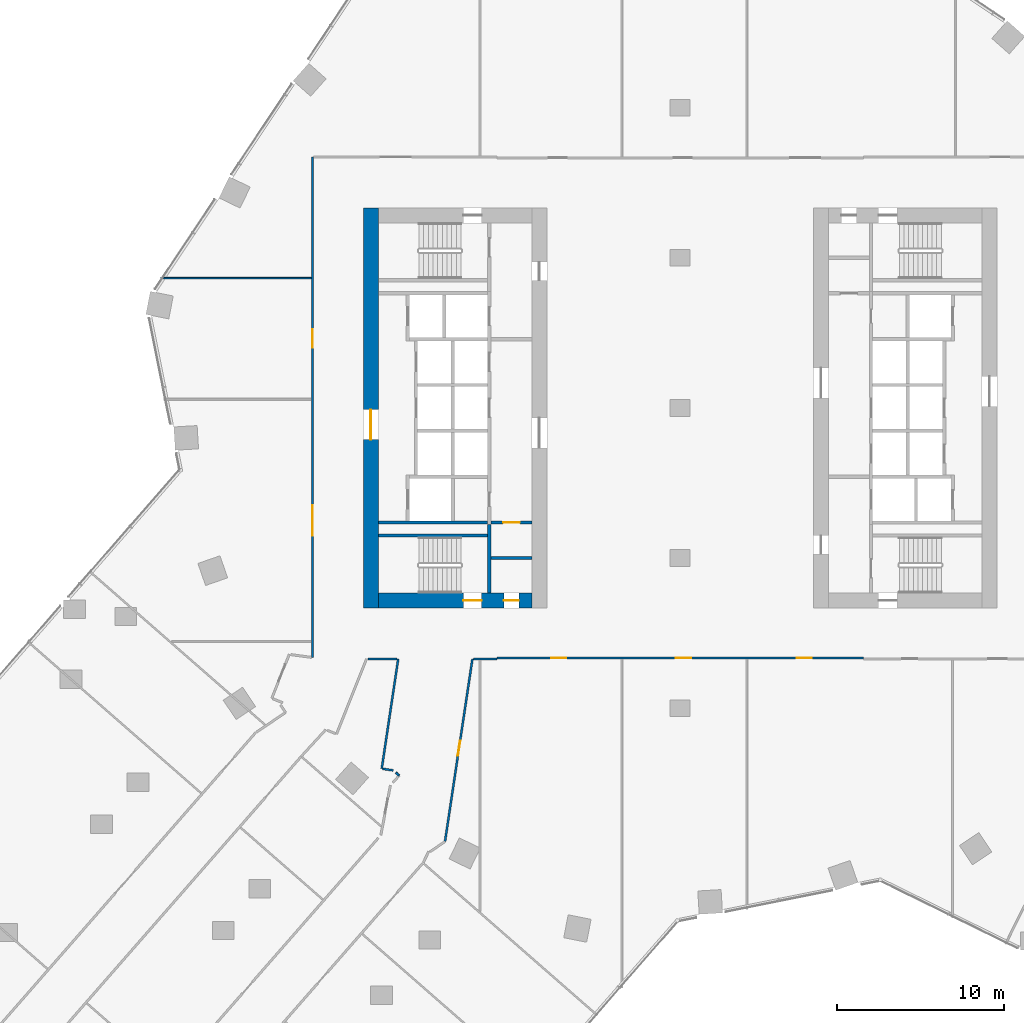
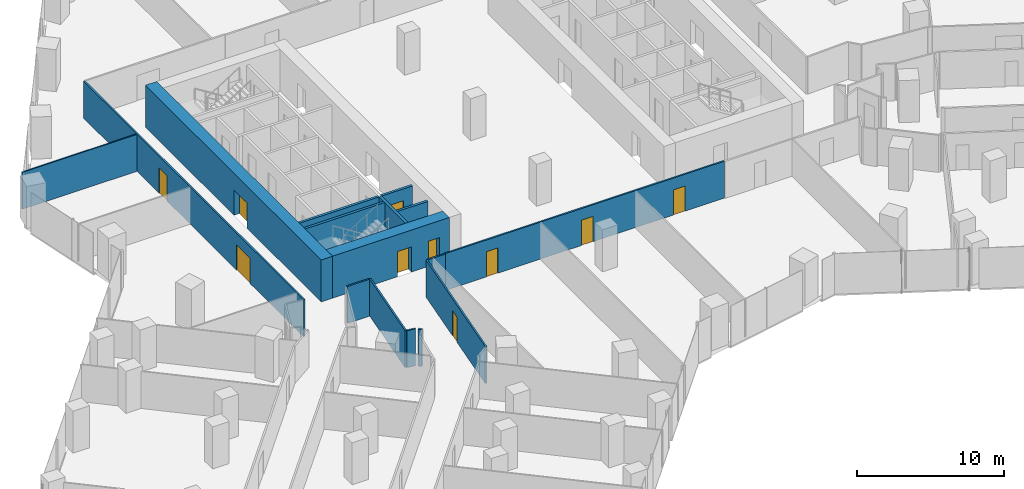
# One storey, part 27 of 38: 16 walls, 10 doors, 10 openings.
"""IFC4 building model written with IfcOpenShell, lengths in metres."""

import ifcopenshell
import ifcopenshell.guid

model = None  # the IFC model being written
_history = None  # IfcOwnerHistory: only IFC2X3 demands one
_inside = {}  # id of a spatial element -> (the spatial element, [elements in it])
_under = {}  # id of a project, library or spatial element -> (it, [spatial elements below it])
_declared = {}  # id of a project -> (the project, [libraries it declares])
_typed = {}  # id of a type object -> (the type object, [elements of that type])
_made_of = {}  # id of a material, layer set ... -> (it, [elements and type objects made of it])


def new_model(schema):
    """Start an empty IFC model of exactly this schema.

    Asked for "IFC4X3", IfcOpenShell would pick the latest addendum, in which some entities
    have other attributes; the version numbers below select the first issue.
    IFC2X3 requires an IfcOwnerHistory on every rooted entity: one is made here for all.
    """
    global model, _history
    if schema == "IFC4X3":
        model = ifcopenshell.file(schema_version=(4, 3, 0, 0))
    else:
        model = ifcopenshell.file(schema=schema)
    _inside.clear()
    _under.clear()
    _declared.clear()
    _typed.clear()
    _made_of.clear()
    _history = None
    if model.schema == "IFC2X3":
        org = make("IfcOrganization", Name="unknown")
        user = make(
            "IfcPersonAndOrganization",
            ThePerson=make("IfcPerson", FamilyName="unknown"),
            TheOrganization=org,
        )
        app = make(
            "IfcApplication",
            ApplicationDeveloper=org,
            Version="unknown",
            ApplicationFullName="unknown",
            ApplicationIdentifier="unknown",
        )
        _history = make(
            "IfcOwnerHistory",
            OwningUser=user,
            OwningApplication=app,
            ChangeAction="ADDED",
            CreationDate=0,
        )
    return model


def make(cls, **values):
    """One entity of the class cls with the attributes given. An attribute that is None is left unset."""
    return model.create_entity(
        cls, **{name: value for name, value in values.items() if value is not None}
    )


def rooted(cls, **values):
    """An entity with a GlobalId (a new one), such as an element, a storey or a relation."""
    return make(cls, GlobalId=ifcopenshell.guid.new(), OwnerHistory=_history, **values)


def si_unit(unit_type, name, prefix=None):
    """IfcSIUnit, for example si_unit("LENGTHUNIT", "METRE", prefix="MILLI")."""
    return make("IfcSIUnit", UnitType=unit_type, Prefix=prefix, Name=name)


def assignment(units):
    """IfcUnitAssignment: the units of a project."""
    return None if units is None else make("IfcUnitAssignment", Units=units)


def point(xyz):
    """IfcCartesianPoint."""
    return None if xyz is None else make("IfcCartesianPoint", Coordinates=xyz)


def direction(xyz):
    """IfcDirection."""
    return None if xyz is None else make("IfcDirection", DirectionRatios=xyz)


def frame(location, z_axis=None, x_axis=None):
    """IfcAxis2Placement3D, a coordinate frame: its origin and axes. An axis left out is left unset."""
    return make(
        "IfcAxis2Placement3D",
        Location=point(location),
        Axis=direction(z_axis),
        RefDirection=direction(x_axis),
    )


def frame_2d(location, x_axis=None):
    """IfcAxis2Placement2D, a coordinate frame in the plane: its origin and x axis."""
    return make(
        "IfcAxis2Placement2D", Location=point(location), RefDirection=direction(x_axis)
    )


def origin():
    """The frame at (0, 0, 0) with its axes left unset."""
    return frame((0.0, 0.0, 0.0))


def place(relative_to, where):
    """IfcLocalPlacement: puts the frame where relative to a parent placement (None: the world)."""
    return make(
        "IfcLocalPlacement", PlacementRelTo=relative_to, RelativePlacement=where
    )


def context(
    kind, dimensions, precision=None, world=None, true_north=None, identifier=None
):
    """IfcGeometricRepresentationContext, for example the 3D "Model" context."""
    return make(
        "IfcGeometricRepresentationContext",
        ContextIdentifier=identifier,
        ContextType=kind,
        CoordinateSpaceDimension=dimensions,
        Precision=precision,
        WorldCoordinateSystem=world,
        TrueNorth=true_north,
    )


def subcontext(parent, identifier, kind, view, scale=None):
    """IfcGeometricRepresentationSubContext, for example "Body" below "Model"."""
    return make(
        "IfcGeometricRepresentationSubContext",
        ContextIdentifier=identifier,
        ContextType=kind,
        ParentContext=parent,
        TargetScale=scale,
        TargetView=view,
    )


def project(units=None, contexts=None):
    """IfcProject with its units and contexts."""
    return rooted(
        "IfcProject",
        Name="project",
        RepresentationContexts=contexts,
        UnitsInContext=assignment(units),
    )


def spatial(cls, under=None, at=None, **own):
    """A site, building, storey or space (cls), placed at a placement, below another one or the project."""
    s = rooted(cls, ObjectPlacement=at, **own)
    if under is not None:
        _under.setdefault(under.id(), (under, []))[1].append(s)
    return s


def profile(cls, at=None, kind="AREA", **sizes):
    """A parametric profile (cls). Its sizes go by their IFC names, for example OverallWidth=200.0."""
    return make(cls, ProfileType=kind, Position=at, **sizes)


def rectangle(**sizes):
    """IfcRectangleProfileDef."""
    return profile("IfcRectangleProfileDef", **sizes)


def extrude(swept, where, along, depth):
    """IfcExtrudedAreaSolid: the profile swept, set in the frame where, extruded along a direction by depth."""
    return make(
        "IfcExtrudedAreaSolid",
        SweptArea=swept,
        Position=where,
        ExtrudedDirection=direction(along),
        Depth=depth,
    )


def shape(context_of_items, identifier, shape_type, items):
    """IfcShapeRepresentation: the items that make up one representation, for example the "Body"."""
    return make(
        "IfcShapeRepresentation",
        ContextOfItems=context_of_items,
        RepresentationIdentifier=identifier,
        RepresentationType=shape_type,
        Items=items,
    )


def material(Name=None, Category=None):
    """IfcMaterial."""
    return make("IfcMaterial", Name=Name, Category=Category)


def layer(
    of_material, thickness, ventilated=None, Name=None, Category=None, Priority=None
):
    """IfcMaterialLayer: one layer of a wall or slab, of a material (None: an air gap)."""
    return make(
        "IfcMaterialLayer",
        Material=of_material,
        LayerThickness=thickness,
        IsVentilated=ventilated,
        Name=Name,
        Category=Category,
        Priority=Priority,
    )


def layer_set(layers, Name=None):
    """IfcMaterialLayerSet."""
    return make("IfcMaterialLayerSet", MaterialLayers=layers, LayerSetName=Name)


def made_of(thing, what):
    """Note that an element or type object is made of a material, layer set ...; save() writes the relation."""
    if what is not None:
        _made_of.setdefault(what.id(), (what, []))[1].append(thing)
    return thing


def type_object(cls, material=None, **own):
    """A type object (cls), such as IfcWallType, which elements share."""
    return made_of(rooted(cls, **own), material)


def element(
    cls,
    number,
    at=None,
    inside=None,
    cuts=None,
    type_object=None,
    material=None,
    context=None,
    identifier="Body",
    shape_type=None,
    held_by="IfcProductDefinitionShape",
    body=None,
    shapes=None,
    **own,
):
    """One element of the class cls, such as IfcWall. Its Tag is "e" and its number.

    at: its placement. inside: the storey or other place that contains it. cuts: it is an
    opening in that element (IfcRelVoidsElement). A single representation is given by context,
    identifier, shape_type and body (its items); several are given by shapes. held_by: the class
    of the entity that holds the representations. save() writes the other relations.
    """
    e = rooted(cls, Tag="e%d" % number, ObjectPlacement=at, **own)
    if body is not None:
        shapes = [shape(context, identifier, shape_type, body)]
    if shapes is not None:
        e.Representation = make(held_by, Representations=shapes)
    if inside is not None:
        _inside.setdefault(inside.id(), (inside, []))[1].append(e)
    if cuts is not None:
        rooted(
            "IfcRelVoidsElement", RelatingBuildingElement=cuts, RelatedOpeningElement=e
        )
    if type_object is not None:
        _typed.setdefault(type_object.id(), (type_object, []))[1].append(e)
    return made_of(e, material)


def fill(opening, filler):
    """IfcRelFillsElement: the door or window that sits in an opening."""
    return rooted(
        "IfcRelFillsElement",
        RelatingOpeningElement=opening,
        RelatedBuildingElement=filler,
    )


def aggregate(whole, parts):
    """IfcRelAggregates: a whole, such as a stair, and the parts it consists of."""
    return rooted("IfcRelAggregates", RelatingObject=whole, RelatedObjects=parts)


def save(model, path):
    """Write the relations noted so far, then the file.

    IfcRelAggregates (storeys below a building ...), IfcRelContainedInSpatialStructure (elements
    in a storey), IfcRelDefinesByType, IfcRelAssociatesMaterial and IfcRelDeclares: one each for
    every whole, place, type object, material and project.
    """
    for whole, parts in _under.values():
        aggregate(whole, parts)
    for where, things in _inside.values():
        rooted(
            "IfcRelContainedInSpatialStructure",
            RelatedElements=things,
            RelatingStructure=where,
        )
    for kind, things in _typed.values():
        rooted("IfcRelDefinesByType", RelatedObjects=things, RelatingType=kind)
    for what, things in _made_of.values():
        rooted("IfcRelAssociatesMaterial", RelatedObjects=things, RelatingMaterial=what)
    for by, libraries in _declared.values():
        rooted("IfcRelDeclares", RelatingContext=by, RelatedDefinitions=libraries)
    model.write(path)


model = new_model("IFC4")

# Units and contexts
model_context = context("Model", 3, precision=1e-05, world=origin(), true_north=direction((0.0, 1.0)))
body_context = subcontext(model_context, "Body", "Model", "MODEL_VIEW")
ifc_project = project(units=[si_unit("LENGTHUNIT", "METRE"), si_unit("AREAUNIT", "SQUARE_METRE"), si_unit("VOLUMEUNIT", "CUBIC_METRE"), si_unit("PLANEANGLEUNIT", "RADIAN"), si_unit("MASSUNIT", "GRAM", prefix="KILO")], contexts=[model_context])

# Site, building, storey
site_placement = place(None, origin())
site = spatial("IfcSite", under=ifc_project, at=site_placement, CompositionType="ELEMENT")
building_placement = place(site_placement, origin())
building = spatial("IfcBuilding", under=site, at=building_placement, Name="Orlundy Tower", CompositionType="ELEMENT")
storey_placement = place(building_placement, frame((0.0, 0.0, 65.800048828125)))
storey = spatial("IfcBuildingStorey", under=building, at=storey_placement, Name="L15", CompositionType="ELEMENT", Elevation=65.800048828125)

# Wall, openings, doors
ifc_material_1 = material(Name="Concrete C80/95", Category="concrete")
ifc_layer_1 = layer(ifc_material_1, 0.89990234375)
ifc_layer_set_1 = layer_set([ifc_layer_1], Name="CORE WALL 900 C80/95")
wall_type_1 = type_object("IfcWallType", Name="CORE WALL 900 C80/95", PredefinedType="SHEAR", material=ifc_layer_set_1)
wall_1_placement = place(storey_placement, frame((-18.10009765625, -11.550048828125, 0.0), z_axis=(0.0, 0.0, 1.0), x_axis=(1.0, 0.0, 0.0)))
wall_1 = element("IfcWall", 1, at=wall_1_placement, inside=storey, type_object=wall_type_1, Name="Core wall W-S L15", PredefinedType="SHEAR", context=body_context, shape_type="SweptSolid", body=[
    extrude(rectangle(XDim=9.2001953125, YDim=0.89990234375, at=frame_2d((4.60009765625, 0.0))), origin(), (0.0, 0.0, 1.0), 3.5),
])
opening_1_placement = place(wall_1_placement, frame((5.10009765625, 0.0, 0.0)))
opening_1 = element("IfcOpeningElement", 2, at=opening_1_placement, cuts=wall_1, Name="Opening 13013", PredefinedType="OPENING", context=body_context, shape_type="SweptSolid", body=[
    extrude(rectangle(XDim=1.10009765625, YDim=2.10009765625, at=frame_2d((0.550048828125, 1.050048828125))), frame((0.0, 0.4599609375, 0.0), z_axis=(0.0, -1.0, 0.0), x_axis=(1.0, 0.0, 0.0)), (0.0, 0.0, 1.0), 0.919921875),
])
opening_2_placement = place(wall_1_placement, frame((7.530029296875, 0.0, 0.0)))
opening_2 = element("IfcOpeningElement", 3, at=opening_2_placement, cuts=wall_1, Name="Opening 13015", PredefinedType="OPENING", context=body_context, shape_type="SweptSolid", body=[
    extrude(rectangle(XDim=0.89990234375, YDim=2.10009765625, at=frame_2d((0.449951171875, 1.050048828125))), frame((0.0, 0.4599609375, 0.0), z_axis=(0.0, -1.0, 0.0), x_axis=(1.0, 0.0, 0.0)), (0.0, 0.0, 1.0), 0.919921875),
])
ifc_material_2 = material(Name="Timber door set", Category="wood")
door_type_1 = type_object("IfcDoorType", Name="Room Door 900x2100", OperationType="SINGLE_SWING_LEFT", PredefinedType="DOOR", material=ifc_material_2)
door_1_placement = place(opening_2_placement, origin())
door_1 = element("IfcDoor", 4, at=door_1_placement, inside=storey, type_object=door_type_1, Name="Store door 13015", OperationType="SINGLE_SWING_RIGHT", OverallHeight=2.10009765625, OverallWidth=0.89990234375, PredefinedType="DOOR", context=body_context, shape_type="SweptSolid", body=[
    extrude(rectangle(XDim=0.89990234375, YDim=2.10009765625, at=frame_2d((0.449951171875, 1.050048828125))), frame((0.0, 0.02490234375, 0.0), z_axis=(0.0, -1.0, 0.0), x_axis=(1.0, 0.0, 0.0)), (0.0, 0.0, 1.0), 0.050048828125),
])
fill(opening_2, door_1)
ifc_material_3 = material(Name="Steel door set", Category="steel")
door_type_2 = type_object("IfcDoorType", Name="Stair Door 1100x2100", OperationType="SINGLE_SWING_LEFT", PredefinedType="DOOR", material=ifc_material_3)
door_2_placement = place(opening_1_placement, origin())
door_2 = element("IfcDoor", 5, at=door_2_placement, inside=storey, type_object=door_type_2, Name="Stair door 13013", OperationType="SINGLE_SWING_RIGHT", OverallHeight=2.10009765625, OverallWidth=1.10009765625, PredefinedType="DOOR", context=body_context, shape_type="SweptSolid", body=[
    extrude(rectangle(XDim=1.10009765625, YDim=2.10009765625, at=frame_2d((0.550048828125, 1.050048828125))), frame((0.0, 0.02490234375, 0.0), z_axis=(0.0, -1.0, 0.0), x_axis=(1.0, 0.0, 0.0)), (0.0, 0.0, 1.0), 0.050048828125),
])
fill(opening_1, door_2)

# Wall, opening, door
wall_2_placement = place(storey_placement, frame((-18.550048828125, -12.0, 0.0), z_axis=(0.0, 0.0, 1.0), x_axis=(0.0, 1.0, 0.0)))
wall_2 = element("IfcWall", 6, at=wall_2_placement, inside=storey, type_object=wall_type_1, Name="Core wall W-W L15", PredefinedType="SHEAR", context=body_context, shape_type="SweptSolid", body=[
    extrude(rectangle(XDim=24.0, YDim=0.89990234375, at=frame_2d((12.0, 0.0))), origin(), (0.0, 0.0, 1.0), 3.5),
])
opening_3_placement = place(wall_2_placement, frame((10.10009765625, 0.0, 0.0)))
opening_3 = element("IfcOpeningElement", 7, at=opening_3_placement, cuts=wall_2, Name="Opening 13010", PredefinedType="OPENING", context=body_context, shape_type="SweptSolid", body=[
    extrude(rectangle(XDim=1.800048828125, YDim=2.10009765625, at=frame_2d((0.89990234375, 1.050048828125))), frame((0.0, 0.4599609375, 0.0), z_axis=(0.0, -1.0, 0.0), x_axis=(1.0, 0.0, 0.0)), (0.0, 0.0, 1.0), 0.919921875),
])
ifc_material_4 = material(Name="Timber door set", Category="wood")
door_type_3 = type_object("IfcDoorType", Name="Lobby Door 1800x2100", OperationType="DOUBLE_DOOR_DOUBLE_SWING", PredefinedType="DOOR", material=ifc_material_4)
door_3_placement = place(opening_3_placement, origin())
door_3 = element("IfcDoor", 8, at=door_3_placement, inside=storey, type_object=door_type_3, Name="Lift lobby door 13010", OperationType="SINGLE_SWING_LEFT", OverallHeight=2.10009765625, OverallWidth=1.800048828125, PredefinedType="DOOR", context=body_context, shape_type="SweptSolid", body=[
    extrude(rectangle(XDim=1.800048828125, YDim=2.10009765625, at=frame_2d((0.89990234375, 1.050048828125))), frame((0.0, 0.02490234375, 0.0), z_axis=(0.0, -1.0, 0.0), x_axis=(1.0, 0.0, 0.0)), (0.0, 0.0, 1.0), 0.050048828125),
])
fill(opening_3, door_3)

# Walls
ifc_material_5 = material(Name="Gypsum board partition")
ifc_layer_2 = layer(ifc_material_5, 0.10009765625)
ifc_layer_set_2 = layer_set([ifc_layer_2], Name="Floor partition 100")
wall_type_2 = type_object("IfcWallType", Name="Floor partition 100", PredefinedType="PARTITIONING", material=ifc_layer_set_2)
wall_3_placement = place(storey_placement, frame((-31.159912109375, 7.785888671875, 0.0), z_axis=(0.0, 0.0, 1.0), x_axis=(1.0, 0.0, 0.0)))
element("IfcWall", 9, at=wall_3_placement, inside=storey, type_object=wall_type_2, Name="wall-int-L15-048", PredefinedType="PARTITIONING", context=body_context, shape_type="SweptSolid", body=[
    extrude(rectangle(XDim=9.046875, YDim=0.10009765625, at=frame_2d((4.5234375, 0.0))), origin(), (0.0, 0.0, 1.0), 3.079833984375),
])
ifc_material_6 = material(Name="Gypsum board partition, double layer")
ifc_layer_3 = layer(ifc_material_6, 0.125)
ifc_layer_set_3 = layer_set([ifc_layer_3], Name="Floor partition 125")
wall_type_3 = type_object("IfcWallType", Name="Floor partition 125", PredefinedType="PARTITIONING", material=ifc_layer_set_3)
wall_4_placement = place(storey_placement, frame((-17.047119140625, -21.876953125, 0.0), z_axis=(0.0, 0.0, 1.0), x_axis=(0.748400306253, -0.663247300485, 0.0)))
element("IfcWall", 10, at=wall_4_placement, inside=storey, type_object=wall_type_3, Name="wall-int-L15-008", PredefinedType="PARTITIONING", context=body_context, shape_type="SweptSolid", body=[
    extrude(rectangle(XDim=0.258056640625, YDim=0.125, at=frame_2d((0.12890625, 0.0))), origin(), (0.0, 0.0, 1.0), 3.079833984375),
])
wall_5_placement = place(storey_placement, frame((-17.8349609375, -21.64306640625, 0.0), z_axis=(0.0, 0.0, 1.0), x_axis=(0.989048543556, -0.147590577236, 0.0)))
element("IfcWall", 11, at=wall_5_placement, inside=storey, type_object=wall_type_3, Name="wall-int-L15-036", PredefinedType="PARTITIONING", context=body_context, shape_type="SweptSolid", body=[
    extrude(rectangle(XDim=0.636962890625, YDim=0.125, at=frame_2d((0.318359375, 0.0))), origin(), (0.0, 0.0, 1.0), 3.079833984375),
])
wall_6_placement = place(storey_placement, frame((-18.718017578125, -15.051025390625, 0.0), z_axis=(0.0, 0.0, 1.0), x_axis=(1.0, 0.0, 0.0)))
element("IfcWall", 12, at=wall_6_placement, inside=storey, type_object=wall_type_3, Name="wall-int-L15-041", PredefinedType="PARTITIONING", context=body_context, shape_type="SweptSolid", body=[
    extrude(rectangle(XDim=1.7470703125, YDim=0.125, at=frame_2d((0.87353515625, 0.0))), origin(), (0.0, 0.0, 1.0), 3.079833984375),
])
wall_7_placement = place(storey_placement, frame((-12.39599609375, -15.051025390625, 0.0), z_axis=(0.0, 0.0, 1.0), x_axis=(1.0, 0.0, 0.0)))
element("IfcWall", 13, at=wall_7_placement, inside=storey, type_object=wall_type_3, Name="wall-int-L15-042", PredefinedType="PARTITIONING", context=body_context, shape_type="SweptSolid", body=[
    extrude(rectangle(XDim=1.405029296875, YDim=0.125, at=frame_2d((0.70263671875, 0.0))), origin(), (0.0, 0.0, 1.0), 3.079833984375),
])

# Wall, openings, doors
wall_8_placement = place(storey_placement, frame((10.989990234375, -15.0009765625, 0.0), z_axis=(0.0, 0.0, 1.0), x_axis=(-1.0, 0.0, 0.0)))
wall_8 = element("IfcWall", 14, at=wall_8_placement, inside=storey, type_object=wall_type_3, Name="wall-int-L15-044", PredefinedType="PARTITIONING", context=body_context, shape_type="SweptSolid", body=[
    extrude(rectangle(XDim=21.97998046875, YDim=0.125, at=frame_2d((10.989990234375, 0.0))), origin(), (0.0, 0.0, 1.0), 3.079833984375),
])
opening_4_placement = place(wall_8_placement, frame((17.833984375, 0.0, 0.0)))
opening_4 = element("IfcOpeningElement", 15, at=opening_4_placement, cuts=wall_8, Name="Opening 13127", PredefinedType="OPENING", context=body_context, shape_type="SweptSolid", body=[
    extrude(rectangle(XDim=0.89990234375, YDim=2.10009765625, at=frame_2d((0.449951171875, 1.050048828125))), frame((0.0, 0.072509765625, 0.0), z_axis=(0.0, -1.0, 0.0), x_axis=(1.0, 0.0, 0.0)), (0.0, 0.0, 1.0), 0.14501953125),
])
opening_5_placement = place(wall_8_placement, frame((10.340087890625, 0.0, 0.0)))
opening_5 = element("IfcOpeningElement", 16, at=opening_5_placement, cuts=wall_8, Name="Opening 13128", PredefinedType="OPENING", context=body_context, shape_type="SweptSolid", body=[
    extrude(rectangle(XDim=0.89990234375, YDim=2.10009765625, at=frame_2d((0.449951171875, 1.050048828125))), frame((0.0, 0.072509765625, 0.0), z_axis=(0.0, -1.0, 0.0), x_axis=(1.0, 0.0, 0.0)), (0.0, 0.0, 1.0), 0.14501953125),
])
opening_6_placement = place(wall_8_placement, frame((3.10009765625, 0.0, 0.0)))
opening_6 = element("IfcOpeningElement", 17, at=opening_6_placement, cuts=wall_8, Name="Opening 13129", PredefinedType="OPENING", context=body_context, shape_type="SweptSolid", body=[
    extrude(rectangle(XDim=0.89990234375, YDim=2.10009765625, at=frame_2d((0.449951171875, 1.050048828125))), frame((0.0, 0.072509765625, 0.0), z_axis=(0.0, -1.0, 0.0), x_axis=(1.0, 0.0, 0.0)), (0.0, 0.0, 1.0), 0.14501953125),
])
ifc_material_7 = material(Name="Timber door leaf", Category="wood")
door_type_4 = type_object("IfcDoorType", Name="Floor door single 900 FD30S", OperationType="NOTDEFINED", PredefinedType="DOOR", material=ifc_material_7)
door_4_placement = place(opening_4_placement, origin())
door_4 = element("IfcDoor", 18, at=door_4_placement, inside=storey, type_object=door_type_4, Name="Door 13127", OperationType="SINGLE_SWING_RIGHT", OverallHeight=2.10009765625, OverallWidth=0.89990234375, PredefinedType="DOOR", context=body_context, shape_type="SweptSolid", body=[
    extrude(rectangle(XDim=0.89990234375, YDim=2.10009765625, at=frame_2d((0.449951171875, 1.050048828125))), frame((0.0, 0.02490234375, 0.0), z_axis=(0.0, -1.0, 0.0), x_axis=(1.0, 0.0, 0.0)), (0.0, 0.0, 1.0), 0.050048828125),
])
fill(opening_4, door_4)
door_5_placement = place(opening_5_placement, origin())
door_5 = element("IfcDoor", 19, at=door_5_placement, inside=storey, type_object=door_type_4, Name="Door 13128", OperationType="SINGLE_SWING_LEFT", OverallHeight=2.10009765625, OverallWidth=0.89990234375, PredefinedType="DOOR", context=body_context, shape_type="SweptSolid", body=[
    extrude(rectangle(XDim=0.89990234375, YDim=2.10009765625, at=frame_2d((0.449951171875, 1.050048828125))), frame((0.0, 0.02490234375, 0.0), z_axis=(0.0, -1.0, 0.0), x_axis=(1.0, 0.0, 0.0)), (0.0, 0.0, 1.0), 0.050048828125),
])
fill(opening_5, door_5)
door_6_placement = place(opening_6_placement, origin())
door_6 = element("IfcDoor", 20, at=door_6_placement, inside=storey, type_object=door_type_4, Name="Door 13129", OperationType="SINGLE_SWING_LEFT", OverallHeight=2.10009765625, OverallWidth=0.89990234375, PredefinedType="DOOR", context=body_context, shape_type="SweptSolid", body=[
    extrude(rectangle(XDim=0.89990234375, YDim=2.10009765625, at=frame_2d((0.449951171875, 1.050048828125))), frame((0.0, 0.02490234375, 0.0), z_axis=(0.0, -1.0, 0.0), x_axis=(1.0, 0.0, 0.0)), (0.0, 0.0, 1.0), 0.050048828125),
])
fill(opening_6, door_6)

# Wall
wall_9_placement = place(storey_placement, frame((-16.908935546875, -15.051025390625, 0.0), z_axis=(0.0, 0.0, 1.0), x_axis=(-0.148448073616, -0.988920203778, 0.0)))
element("IfcWall", 21, at=wall_9_placement, inside=storey, type_object=wall_type_3, Name="wall-int-L15-084", PredefinedType="PARTITIONING", context=body_context, shape_type="SweptSolid", body=[
    extrude(rectangle(XDim=6.65576171875, YDim=0.125, at=frame_2d((3.327880859375, 0.0))), origin(), (0.0, 0.0, 1.0), 3.079833984375),
])

# Wall, opening, door
wall_10_placement = place(storey_placement, frame((-12.4580078125, -15.051025390625, 0.0), z_axis=(0.0, 0.0, 1.0), x_axis=(-0.148482692609, -0.988915006457, 0.0)))
wall_10 = element("IfcWall", 22, at=wall_10_placement, inside=storey, type_object=wall_type_3, Name="wall-int-L15-085", PredefinedType="PARTITIONING", context=body_context, shape_type="SweptSolid", body=[
    extrude(rectangle(XDim=11.078857421875, YDim=0.125, at=frame_2d((5.53955078125, 0.0))), origin(), (0.0, 0.0, 1.0), 3.079833984375),
])
opening_7_placement = place(wall_10_placement, frame((4.9638671875, 0.0, 0.0)))
opening_7 = element("IfcOpeningElement", 23, at=opening_7_placement, cuts=wall_10, Name="Opening 13126", PredefinedType="OPENING", context=body_context, shape_type="SweptSolid", body=[
    extrude(rectangle(XDim=0.89990234375, YDim=2.10009765625, at=frame_2d((0.449951171875, 1.050048828125))), frame((0.0, 0.072509765625, 0.0), z_axis=(0.0, -1.0, 0.0), x_axis=(1.0, 0.0, 0.0)), (0.0, 0.0, 1.0), 0.14501953125),
])
door_7_placement = place(opening_7_placement, origin())
door_7 = element("IfcDoor", 24, at=door_7_placement, inside=storey, type_object=door_type_4, Name="Door 13126", OperationType="SINGLE_SWING_LEFT", OverallHeight=2.10009765625, OverallWidth=0.89990234375, PredefinedType="DOOR", context=body_context, shape_type="SweptSolid", body=[
    extrude(rectangle(XDim=0.89990234375, YDim=2.10009765625, at=frame_2d((0.449951171875, 1.050048828125))), frame((0.0, 0.02490234375, 0.0), z_axis=(0.0, -1.0, 0.0), x_axis=(1.0, 0.0, 0.0)), (0.0, 0.0, 1.0), 0.050048828125),
])
fill(opening_7, door_7)

# Wall, openings, doors
wall_11_placement = place(storey_placement, frame((-22.050048828125, -14.967041015625, 0.0), z_axis=(0.0, 0.0, 1.0), x_axis=(0.0, 1.0, 0.0)))
wall_11 = element("IfcWall", 25, at=wall_11_placement, inside=storey, type_object=wall_type_3, Name="wall-int-L15-096", PredefinedType="PARTITIONING", context=body_context, shape_type="SweptSolid", body=[
    extrude(rectangle(XDim=30.01806640625, YDim=0.125, at=frame_2d((15.009033203125, 0.0))), origin(), (0.0, 0.0, 1.0), 3.079833984375),
])
opening_8_placement = place(wall_11_placement, frame((7.31689453125, 0.0, 0.0)))
opening_8 = element("IfcOpeningElement", 26, at=opening_8_placement, cuts=wall_11, Name="Opening 13123", PredefinedType="OPENING", context=body_context, shape_type="SweptSolid", body=[
    extrude(rectangle(XDim=1.800048828125, YDim=2.10009765625, at=frame_2d((0.89990234375, 1.050048828125))), frame((0.0, 0.072509765625, 0.0), z_axis=(0.0, -1.0, 0.0), x_axis=(1.0, 0.0, 0.0)), (0.0, 0.0, 1.0), 0.14501953125),
])
opening_9_placement = place(wall_11_placement, frame((18.591064453125, 0.0, 0.0)))
opening_9 = element("IfcOpeningElement", 27, at=opening_9_placement, cuts=wall_11, Name="Opening 13140", PredefinedType="OPENING", context=body_context, shape_type="SweptSolid", body=[
    extrude(rectangle(XDim=1.10009765625, YDim=2.10009765625, at=frame_2d((0.550048828125, 1.050048828125))), frame((0.0, 0.072509765625, 0.0), z_axis=(0.0, -1.0, 0.0), x_axis=(1.0, 0.0, 0.0)), (0.0, 0.0, 1.0), 0.14501953125),
])
ifc_material_8 = material(Name="Timber door leaf", Category="wood")
door_type_5 = type_object("IfcDoorType", Name="Floor door double 1800 FD30S", OperationType="NOTDEFINED", PredefinedType="DOOR", material=ifc_material_8)
door_8_placement = place(opening_8_placement, origin())
door_8 = element("IfcDoor", 28, at=door_8_placement, inside=storey, type_object=door_type_5, Name="Door 13123", OperationType="DOUBLE_DOOR_SINGLE_SWING", OverallHeight=2.10009765625, OverallWidth=1.800048828125, PredefinedType="DOOR", context=body_context, shape_type="SweptSolid", body=[
    extrude(rectangle(XDim=1.800048828125, YDim=2.10009765625, at=frame_2d((0.89990234375, 1.050048828125))), frame((0.0, 0.02490234375, 0.0), z_axis=(0.0, -1.0, 0.0), x_axis=(1.0, 0.0, 0.0)), (0.0, 0.0, 1.0), 0.050048828125),
])
fill(opening_8, door_8)
ifc_material_9 = material(Name="Timber door leaf", Category="wood")
door_type_6 = type_object("IfcDoorType", Name="Floor door xwide 1100 FD30S", OperationType="NOTDEFINED", PredefinedType="DOOR", material=ifc_material_9)
door_9_placement = place(opening_9_placement, origin())
door_9 = element("IfcDoor", 29, at=door_9_placement, inside=storey, type_object=door_type_6, Name="Door 13140", OperationType="SINGLE_SWING_RIGHT", OverallHeight=2.10009765625, OverallWidth=1.10009765625, PredefinedType="DOOR", context=body_context, shape_type="SweptSolid", body=[
    extrude(rectangle(XDim=1.10009765625, YDim=2.10009765625, at=frame_2d((0.550048828125, 1.050048828125))), frame((0.0, 0.02490234375, 0.0), z_axis=(0.0, -1.0, 0.0), x_axis=(1.0, 0.0, 0.0)), (0.0, 0.0, 1.0), 0.050048828125),
])
fill(opening_9, door_9)

# Walls
ifc_material_10 = material(Name="Concrete C40/50", Category="concrete")
ifc_layer_4 = layer(ifc_material_10, 0.199951171875)
ifc_layer_set_4 = layer_set([ifc_layer_4], Name="Load-bearing Shaft Wall 200")
wall_type_4 = type_object("IfcWallType", Name="Load-bearing Shaft Wall 200", PredefinedType="SOLIDWALL", material=ifc_layer_set_4)
wall_12_placement = place(storey_placement, frame((-11.43994140625, -11.10009765625, 0.0), z_axis=(0.0, 0.0, 1.0), x_axis=(0.0, 1.0, 0.0)))
element("IfcWall", 30, at=wall_12_placement, inside=storey, type_object=wall_type_4, Name="Shaft wall W13-stair-end-s", PredefinedType="SOLIDWALL", context=body_context, shape_type="SweptSolid", body=[
    extrude(rectangle(XDim=4.125, YDim=0.199951171875, at=frame_2d((2.0625, 0.0))), origin(), (0.0, 0.0, 1.0), 3.08984375),
])
wall_13_placement = place(storey_placement, frame((-11.5400390625, -7.64990234375, 0.0), z_axis=(0.0, 0.0, 1.0), x_axis=(-1.0, 0.0, 0.0)))
element("IfcWall", 31, at=wall_13_placement, inside=storey, type_object=wall_type_4, Name="Shaft wall W13-stair-side-s", PredefinedType="SOLIDWALL", context=body_context, shape_type="SweptSolid", body=[
    extrude(rectangle(XDim=6.56005859375, YDim=0.199951171875, at=frame_2d((3.280029296875, 0.0))), origin(), (0.0, 0.0, 1.0), 3.08984375),
])

# Wall, opening, door
ifc_material_11 = material(Name="Gypsum board partition on steel studs", Category="steel")
ifc_layer_5 = layer(ifc_material_11, 0.199951171875)
ifc_layer_set_5 = layer_set([ifc_layer_5], Name="Partition 200")
wall_type_5 = type_object("IfcWallType", Name="Partition 200", PredefinedType="PARTITIONING", material=ifc_layer_set_5)
wall_14_placement = place(storey_placement, frame((-8.89990234375, -6.875, 0.0), z_axis=(0.0, 0.0, 1.0), x_axis=(-1.0, 0.0, 0.0)))
wall_14 = element("IfcWall", 32, at=wall_14_placement, inside=storey, type_object=wall_type_5, Name="Partition wall W13-end-s", PredefinedType="PARTITIONING", context=body_context, shape_type="SweptSolid", body=[
    extrude(rectangle(XDim=2.440185546875, YDim=0.199951171875, at=frame_2d((1.22021484375, 0.0))), origin(), (0.0, 0.0, 1.0), 3.08984375),
])
opening_10_placement = place(wall_14_placement, frame((0.719970703125, 0.0, 0.0)))
opening_10 = element("IfcOpeningElement", 33, at=opening_10_placement, cuts=wall_14, Name="Opening 13016", PredefinedType="OPENING", context=body_context, shape_type="SweptSolid", body=[
    extrude(rectangle(XDim=1.0, YDim=2.10009765625, at=frame_2d((0.5, 1.050048828125))), frame((0.0, 0.110107421875, 0.0), z_axis=(0.0, -1.0, 0.0), x_axis=(1.0, 0.0, 0.0)), (0.0, 0.0, 1.0), 0.22021484375),
])
ifc_material_12 = material(Name="Timber door set", Category="wood")
door_type_7 = type_object("IfcDoorType", Name="Accessible Door 1000x2100", OperationType="SINGLE_SWING_LEFT", PredefinedType="DOOR", material=ifc_material_12)
door_10_placement = place(opening_10_placement, origin())
door_10 = element("IfcDoor", 34, at=door_10_placement, inside=storey, type_object=door_type_7, Name="Accessible WC door 13016", OperationType="SINGLE_SWING_RIGHT", OverallHeight=2.10009765625, OverallWidth=1.0, PredefinedType="DOOR", context=body_context, shape_type="SweptSolid", body=[
    extrude(rectangle(XDim=1.0, YDim=2.10009765625, at=frame_2d((0.5, 1.050048828125))), frame((0.0, 0.02490234375, 0.0), z_axis=(0.0, -1.0, 0.0), x_axis=(1.0, 0.0, 0.0)), (0.0, 0.0, 1.0), 0.050048828125),
])
fill(opening_10, door_10)

# Walls
wall_15_placement = place(storey_placement, frame((-8.89990234375, -9.0, 0.0), z_axis=(0.0, 0.0, 1.0), x_axis=(-1.0, 0.0, 0.0)))
element("IfcWall", 35, at=wall_15_placement, inside=storey, type_object=wall_type_5, Name="Partition wall W13-room-s0", PredefinedType="PARTITIONING", context=body_context, shape_type="SweptSolid", body=[
    extrude(rectangle(XDim=2.440185546875, YDim=0.199951171875, at=frame_2d((1.22021484375, 0.0))), origin(), (0.0, 0.0, 1.0), 3.08984375),
])
ifc_material_13 = material(Name="Fire-rated blockwork shaft wall", Category="masonry")
ifc_layer_6 = layer(ifc_material_13, 0.199951171875)
ifc_layer_set_6 = layer_set([ifc_layer_6], Name="Shaft Wall 200")
wall_type_6 = type_object("IfcWallType", Name="Shaft Wall 200", PredefinedType="SOLIDWALL", material=ifc_layer_set_6)
wall_16_placement = place(storey_placement, frame((-11.5400390625, -6.875, 0.0), z_axis=(0.0, 0.0, 1.0), x_axis=(-1.0, 0.0, 0.0)))
element("IfcWall", 36, at=wall_16_placement, inside=storey, type_object=wall_type_6, Name="Shaft wall W13-zone-s", PredefinedType="SOLIDWALL", context=body_context, shape_type="SweptSolid", body=[
    extrude(rectangle(XDim=6.56005859375, YDim=0.199951171875, at=frame_2d((3.280029296875, 0.0))), origin(), (0.0, 0.0, 1.0), 3.08984375),
])

save(model, "model.ifc")
